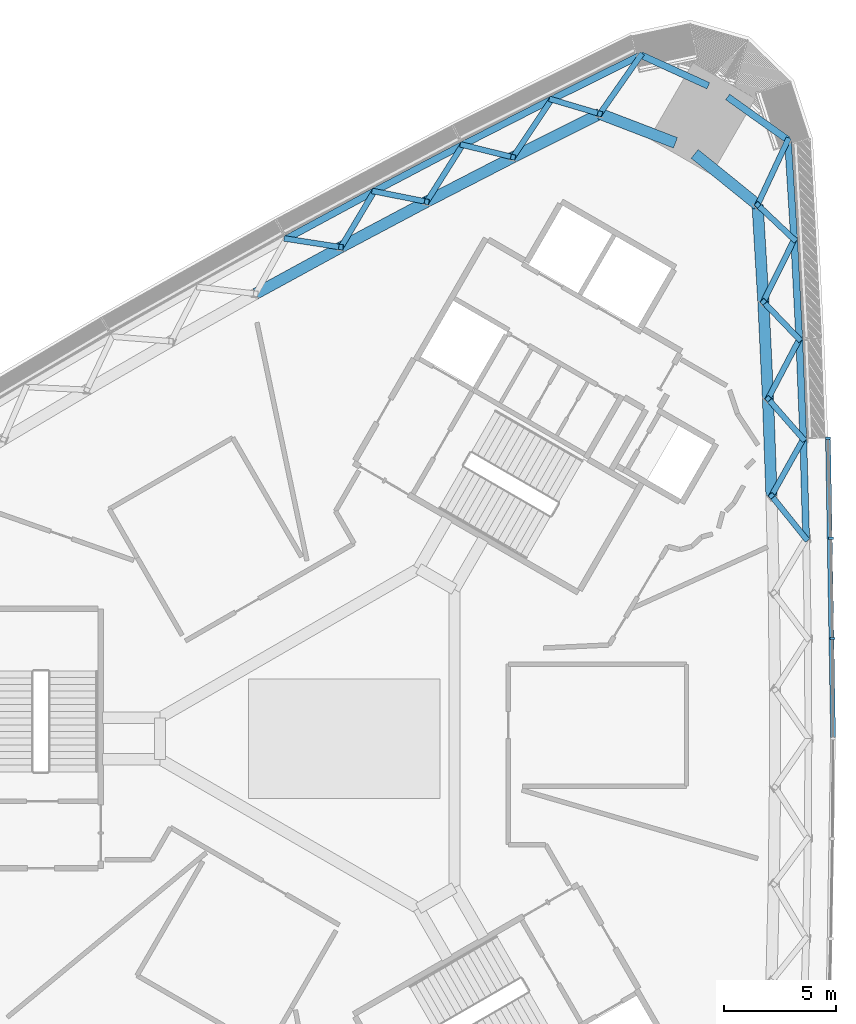
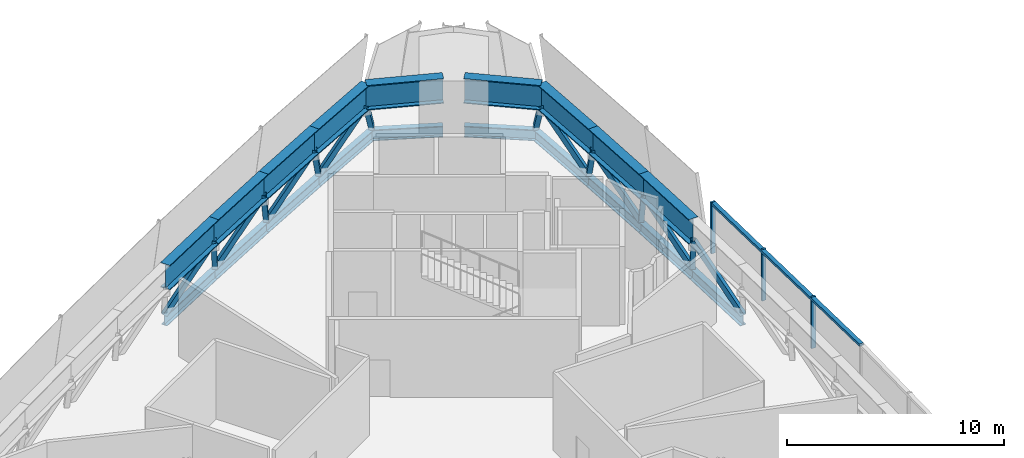
# One storey, part 4 of 17: 20 members, 19 beams, 1 element without a shape of its own.
"""IFC4 building model written with IfcOpenShell, lengths in metres."""

from ifc_helpers import new_model, si_unit, direction, frame, origin, origin_2d, place, context, subcontext, project, spatial, rectangle, hollow_rectangle, i_section, extrude, material, material_profile, profile_set, type_object, element, aggregate, save


model = new_model("IFC4")

# Units and contexts
model_context = context("Model", 3, precision=1e-05, world=origin(), true_north=direction((0.0, 1.0)))
body_context = subcontext(model_context, "Body", "Model", "MODEL_VIEW")
ifc_project = project(units=[si_unit("LENGTHUNIT", "METRE"), si_unit("AREAUNIT", "SQUARE_METRE"), si_unit("VOLUMEUNIT", "CUBIC_METRE"), si_unit("PLANEANGLEUNIT", "RADIAN"), si_unit("MASSUNIT", "GRAM", prefix="KILO")], contexts=[model_context])

# Site, building, storey
site_placement = place(None, origin())
site = spatial("IfcSite", under=ifc_project, at=site_placement, CompositionType="ELEMENT")
building_placement = place(site_placement, origin())
building = spatial("IfcBuilding", under=site, at=building_placement, Name="Tamra Quay Hotel Tower", CompositionType="ELEMENT")
storey_placement = place(building_placement, frame((0.0, 0.0, 119.0)))
storey = spatial("IfcBuildingStorey", under=building, at=storey_placement, Name="L29", CompositionType="ELEMENT", Elevation=119.0)

# Members
ifc_material_1 = material(Name="Structural steel IS 2062 E350", Category="steel")
ifc_material_profile_1 = material_profile(ifc_material_1, hollow_rectangle(XDim=0.25, YDim=0.25, WallThickness=0.010009765625, at=origin_2d()), Name="SHS 250x250x10")
ifc_profile_set_1 = profile_set([ifc_material_profile_1], Name="Structural steel IS 2062 E350")
member_type_1 = type_object("IfcMemberType", Name="BELT BRACE SHS 250x250x10 Z2", PredefinedType="BRACE", material=ifc_profile_set_1)
member_1_placement = place(storey_placement, frame((20.557373046875, 8.888916015625, -0.39990234375), z_axis=(-0.356971871151, 0.443642425233, 0.822041654504), x_axis=(-0.779102755568, -0.626896240431, 0.0)))
element("IfcMember", 1, at=member_1_placement, inside=storey, type_object=member_type_1, Name="BR-L29-016", PredefinedType="BRACE", context=body_context, shape_type="SweptSolid", body=[
    extrude(hollow_rectangle(XDim=0.25, YDim=0.25, WallThickness=0.010009765625, at=origin_2d()), origin(), (0.0, 0.0, 1.0), 4.318359375),
])
member_2_placement = place(storey_placement, frame((20.430419921875, 13.331787109375, -0.39990234375), z_axis=(-0.308766315016, -0.551612034299, 0.774846776032), x_axis=(0.872598002374, -0.488439071177, 0.0)))
element("IfcMember", 2, at=member_2_placement, inside=storey, type_object=member_type_1, Name="BR-L29-017", PredefinedType="BRACE", context=body_context, shape_type="SweptSolid", body=[
    extrude(hollow_rectangle(XDim=0.25, YDim=0.25, WallThickness=0.010009765625, at=origin_2d()), origin(), (0.0, 0.0, 1.0), 4.581298828125),
])
member_3_placement = place(storey_placement, frame((20.430419921875, 13.331787109375, -0.39990234375), z_axis=(-0.367132582374, 0.419270091739, 0.830316961848), x_axis=(-0.752335431429, -0.658780235448, 0.0)))
element("IfcMember", 3, at=member_3_placement, inside=storey, type_object=member_type_1, Name="BR-L29-018", PredefinedType="BRACE", context=body_context, shape_type="SweptSolid", body=[
    extrude(hollow_rectangle(XDim=0.25, YDim=0.25, WallThickness=0.010009765625, at=origin_2d()), origin(), (0.0, 0.0, 1.0), 4.275146484375),
])
member_4_placement = place(storey_placement, frame((20.2529296875, 17.773193359375, -0.39990234375), z_axis=(-0.299836733014, -0.570541661381, 0.764578410736), x_axis=(0.885204754983, -0.465201614093, 0.0)))
element("IfcMember", 4, at=member_4_placement, inside=storey, type_object=member_type_1, Name="BR-L29-019", PredefinedType="BRACE", context=body_context, shape_type="SweptSolid", body=[
    extrude(hollow_rectangle(XDim=0.25, YDim=0.25, WallThickness=0.010009765625, at=origin_2d()), origin(), (0.0, 0.0, 1.0), 4.642822265625),
])
member_5_placement = place(storey_placement, frame((20.2529296875, 17.773193359375, -0.39990234375), z_axis=(-0.377350659987, 0.394065444071, 0.838044691646), x_axis=(-0.722258606702, -0.691623094644, 0.0)))
element("IfcMember", 5, at=member_5_placement, inside=storey, type_object=member_type_1, Name="BR-L29-020", PredefinedType="BRACE", context=body_context, shape_type="SweptSolid", body=[
    extrude(hollow_rectangle(XDim=0.25, YDim=0.25, WallThickness=0.010009765625, at=origin_2d()), origin(), (0.0, 0.0, 1.0), 4.23583984375),
])
member_6_placement = place(storey_placement, frame((20.02490234375, 22.212158203125, -0.39990234375), z_axis=(-0.291166741739, -0.588506446648, 0.754242726686), x_axis=(0.896299578858, -0.443449055631, 0.0)))
element("IfcMember", 6, at=member_6_placement, inside=storey, type_object=member_type_1, Name="BR-L29-021", PredefinedType="BRACE", context=body_context, shape_type="SweptSolid", body=[
    extrude(hollow_rectangle(XDim=0.25, YDim=0.25, WallThickness=0.010009765625, at=origin_2d()), origin(), (0.0, 0.0, 1.0), 4.70654296875),
])
member_7_placement = place(storey_placement, frame((20.02490234375, 22.212158203125, -0.39990234375), z_axis=(-0.387673105904, 0.367850564427, 0.845219217251), x_axis=(-0.68831767692, -0.725409384858, 0.0)))
element("IfcMember", 7, at=member_7_placement, inside=storey, type_object=member_type_1, Name="BR-L29-022", PredefinedType="BRACE", context=body_context, shape_type="SweptSolid", body=[
    extrude(hollow_rectangle(XDim=0.25, YDim=0.25, WallThickness=0.010009765625, at=origin_2d()), origin(), (0.0, 0.0, 1.0), 4.199951171875),
])
for number, where, z_axis, x_axis, name in (
    (8, (19.746337890625, 26.648681640625, -0.39990234375), (-0.282744312896, -0.605792988773, 0.743687103746), (0.906159683622, -0.422935725351, 0.0), "BR-L29-023"),
    (9, (13.205078125, 30.425048828125, -0.39990234375), (-0.383211555214, -0.547759282539, 0.743712761987), (0.81938645894, -0.573241511848, 0.0), "BR-L29-024"),
):
    element("IfcMember", number, at=place(storey_placement, frame(where, z_axis=z_axis, x_axis=x_axis)), inside=storey, type_object=member_type_1, Name=name, PredefinedType="BRACE", context=body_context, shape_type="SweptSolid", body=[
        extrude(hollow_rectangle(XDim=0.25, YDim=0.25, WallThickness=0.010009765625, at=origin_2d()), origin(), (0.0, 0.0, 1.0), 4.773193359375),
    ])
member_8_placement = place(storey_placement, frame((9.223876953125, 28.4482421875, -0.39990234375), z_axis=(0.512414816212, -0.151835224044, 0.845208329861), x_axis=(0.284103143013, 0.958793723452, 0.0)))
element("IfcMember", 10, at=member_8_placement, inside=storey, type_object=member_type_1, Name="BR-L29-025", PredefinedType="BRACE", context=body_context, shape_type="SweptSolid", body=[
    extrude(hollow_rectangle(XDim=0.25, YDim=0.25, WallThickness=0.010009765625, at=origin_2d()), origin(), (0.0, 0.0, 1.0), 4.199951171875),
])
member_9_placement = place(storey_placement, frame((9.223876953125, 28.4482421875, -0.39990234375), z_axis=(-0.364092887779, -0.546424630269, 0.754225756988), x_axis=(0.832183962152, -0.554499642144, 0.0)))
element("IfcMember", 11, at=member_9_placement, inside=storey, type_object=member_type_1, Name="BR-L29-026", PredefinedType="BRACE", context=body_context, shape_type="SweptSolid", body=[
    extrude(hollow_rectangle(XDim=0.25, YDim=0.25, WallThickness=0.010009765625, at=origin_2d()), origin(), (0.0, 0.0, 1.0), 4.70654296875),
])
member_10_placement = place(storey_placement, frame((5.265625, 26.42626953125, -0.39990234375), z_axis=(0.529922135525, -0.129800375158, 0.83805393197), x_axis=(0.237909409225, 0.971287348318, 0.0)))
element("IfcMember", 12, at=member_10_placement, inside=storey, type_object=member_type_1, Name="BR-L29-027", PredefinedType="BRACE", context=body_context, shape_type="SweptSolid", body=[
    extrude(hollow_rectangle(XDim=0.25, YDim=0.25, WallThickness=0.010009765625, at=origin_2d()), origin(), (0.0, 0.0, 1.0), 4.23583984375),
])
member_11_placement = place(storey_placement, frame((5.265625, 26.42626953125, -0.39990234375), z_axis=(-0.344214906408, -0.544928059136, 0.764571454197), x_axis=(0.845454005932, -0.53404824113, 0.0)))
element("IfcMember", 13, at=member_11_placement, inside=storey, type_object=member_type_1, Name="BR-L29-028", PredefinedType="BRACE", context=body_context, shape_type="SweptSolid", body=[
    extrude(hollow_rectangle(XDim=0.25, YDim=0.25, WallThickness=0.010009765625, at=origin_2d()), origin(), (0.0, 0.0, 1.0), 4.642822265625),
])
member_12_placement = place(storey_placement, frame((1.33056640625, 24.359375, -0.39990234375), z_axis=(0.546629374162, -0.108332210905, 0.830337557493), x_axis=(0.194401294917, 0.980922084844, 0.0)))
element("IfcMember", 14, at=member_12_placement, inside=storey, type_object=member_type_1, Name="BR-L29-029", PredefinedType="BRACE", context=body_context, shape_type="SweptSolid", body=[
    extrude(hollow_rectangle(XDim=0.25, YDim=0.25, WallThickness=0.010009765625, at=origin_2d()), origin(), (0.0, 0.0, 1.0), 4.275146484375),
])
member_13_placement = place(storey_placement, frame((1.33056640625, 24.359375, -0.39990234375), z_axis=(-0.32330894311, -0.543235761671, 0.774833036561), x_axis=(0.859324639719, -0.51143050708, 0.0)))
element("IfcMember", 15, at=member_13_placement, inside=storey, type_object=member_type_1, Name="BR-L29-030", PredefinedType="BRACE", context=body_context, shape_type="SweptSolid", body=[
    extrude(hollow_rectangle(XDim=0.25, YDim=0.25, WallThickness=0.010009765625, at=origin_2d()), origin(), (0.0, 0.0, 1.0), 4.581298828125),
])
member_14_placement = place(storey_placement, frame((-2.580810546875, 22.247802734375, -0.39990234375), z_axis=(0.562740562902, -0.087345204911, 0.822006006087), x_axis=(0.153377442509, 0.988167678144, 0.0)))
element("IfcMember", 16, at=member_14_placement, inside=storey, type_object=member_type_1, Name="BR-L29-031", PredefinedType="BRACE", context=body_context, shape_type="SweptSolid", body=[
    extrude(hollow_rectangle(XDim=0.25, YDim=0.25, WallThickness=0.010009765625, at=origin_2d()), origin(), (0.0, 0.0, 1.0), 4.318359375),
])

# Beams
ifc_material_profile_2 = material_profile(ifc_material_1, i_section(OverallWidth=0.304931640625, OverallDepth=0.6201171875, WebThickness=0.02099609375, FlangeThickness=0.0400390625, at=origin_2d()), Name="WPB 600x300x285")
ifc_profile_set_2 = profile_set([ifc_material_profile_2], Name="Structural steel IS 2062 E350")
beam_type_1 = type_object("IfcBeamType", Name="BELT CHORD WPB 600x300x285 Z2", PredefinedType="BEAM", material=ifc_profile_set_2)
beam_1_placement = place(storey_placement, frame((20.557373046875, 8.888916015625, -0.7099609375), z_axis=(-0.02856291012, 0.999591996849, 0.0), x_axis=(-0.999591996849, -0.02856291012, 0.0)))
element("IfcBeam", 17, at=beam_1_placement, inside=storey, type_object=beam_type_1, Name="BM-CHB-L29-008", PredefinedType="BEAM", context=body_context, shape_type="SweptSolid", body=[
    extrude(i_section(OverallWidth=0.304931640625, OverallDepth=0.6201171875, WebThickness=0.02099609375, FlangeThickness=0.0400390625, at=origin_2d()), origin(), (0.0, 0.0, 1.0), 4.444580078125),
])
beam_2_placement = place(storey_placement, frame((20.430419921875, 13.331787109375, -0.7099609375), z_axis=(-0.039930748728, 0.99920244961, 0.0), x_axis=(-0.99920244961, -0.039930748728, 0.0)))
element("IfcBeam", 18, at=beam_2_placement, inside=storey, type_object=beam_type_1, Name="BM-CHB-L29-009", PredefinedType="BEAM", context=body_context, shape_type="SweptSolid", body=[
    extrude(i_section(OverallWidth=0.304931640625, OverallDepth=0.6201171875, WebThickness=0.02099609375, FlangeThickness=0.0400390625, at=origin_2d()), origin(), (0.0, 0.0, 1.0), 4.445068359375),
])
beam_3_placement = place(storey_placement, frame((20.2529296875, 17.773193359375, -0.7099609375), z_axis=(-0.051301842631, 0.998683193482, 0.0), x_axis=(-0.998683193482, -0.051301842631, 0.0)))
element("IfcBeam", 19, at=beam_3_placement, inside=storey, type_object=beam_type_1, Name="BM-CHB-L29-010", PredefinedType="BEAM", context=body_context, shape_type="SweptSolid", body=[
    extrude(i_section(OverallWidth=0.304931640625, OverallDepth=0.6201171875, WebThickness=0.02099609375, FlangeThickness=0.0400390625, at=origin_2d()), origin(), (0.0, 0.0, 1.0), 4.44482421875),
])
beam_4_placement = place(storey_placement, frame((20.02490234375, 22.212158203125, -0.7099609375), z_axis=(-0.062665499823, 0.99803458614, 0.0), x_axis=(-0.99803458614, -0.062665499823, 0.0)))
element("IfcBeam", 20, at=beam_4_placement, inside=storey, type_object=beam_type_1, Name="BM-CHB-L29-011", PredefinedType="BEAM", context=body_context, shape_type="SweptSolid", body=[
    extrude(i_section(OverallWidth=0.304931640625, OverallDepth=0.6201171875, WebThickness=0.02099609375, FlangeThickness=0.0400390625, at=origin_2d()), origin(), (0.0, 0.0, 1.0), 4.4453125),
])
beam_5_placement = place(storey_placement, frame((19.746337890625, 26.648681640625, -0.7099609375), z_axis=(-0.814348949885, 0.580375557567, 0.0), x_axis=(-0.580375557567, -0.814348949885, 0.0)))
element("IfcBeam", 21, at=beam_5_placement, inside=storey, type_object=beam_type_1, Name="BM-CHB-L29-012", PredefinedType="BEAM", context=body_context, shape_type="SweptSolid", body=[
    extrude(i_section(OverallWidth=0.304931640625, OverallDepth=0.6201171875, WebThickness=0.02099609375, FlangeThickness=0.0400390625, at=origin_2d()), origin(), (0.0, 0.0, 1.0), 3.294189453125),
])
beam_6_placement = place(storey_placement, frame((16.202392578125, 29.057861328125, -0.7099609375), z_axis=(-0.909820030099, 0.415003027495, 0.0), x_axis=(-0.415003027495, -0.909820030099, 0.0)))
element("IfcBeam", 22, at=beam_6_placement, inside=storey, type_object=beam_type_1, Name="BM-CHB-L29-013", PredefinedType="BEAM", context=body_context, shape_type="SweptSolid", body=[
    extrude(i_section(OverallWidth=0.304931640625, OverallDepth=0.6201171875, WebThickness=0.02099609375, FlangeThickness=0.0400390625, at=origin_2d()), origin(), (0.0, 0.0, 1.0), 3.29443359375),
])
beam_7_placement = place(storey_placement, frame((13.205078125, 30.425048828125, -0.7099609375), z_axis=(-0.895665054819, -0.444729254239, 0.0), x_axis=(0.444729254239, -0.895665054819, 0.0)))
element("IfcBeam", 23, at=beam_7_placement, inside=storey, type_object=beam_type_1, Name="BM-CHB-L29-014", PredefinedType="BEAM", context=body_context, shape_type="SweptSolid", body=[
    extrude(i_section(OverallWidth=0.304931640625, OverallDepth=0.6201171875, WebThickness=0.02099609375, FlangeThickness=0.0400390625, at=origin_2d()), origin(), (0.0, 0.0, 1.0), 4.445068359375),
])
for number, where, z_axis, x_axis, name in (
    (24, (9.223876953125, 28.4482421875, -0.7099609375), (-0.890538040602, -0.454908780131, 0.0), (0.454908780131, -0.890538040602, 0.0), "BM-CHB-L29-015"),
    (25, (5.265625, 26.42626953125, -0.7099609375), (-0.885306332423, -0.4650082771, 0.0), (0.4650082771, -0.885306332423, 0.0), "BM-CHB-L29-016"),
):
    element("IfcBeam", number, at=place(storey_placement, frame(where, z_axis=z_axis, x_axis=x_axis)), inside=storey, type_object=beam_type_1, Name=name, PredefinedType="BEAM", context=body_context, shape_type="SweptSolid", body=[
        extrude(i_section(OverallWidth=0.304931640625, OverallDepth=0.6201171875, WebThickness=0.02099609375, FlangeThickness=0.0400390625, at=origin_2d()), origin(), (0.0, 0.0, 1.0), 4.44482421875),
    ])
beam_8_placement = place(storey_placement, frame((1.33056640625, 24.359375, -0.7099609375), z_axis=(-0.879959126685, -0.475049403077, 0.0), x_axis=(0.475049403077, -0.879959126685, 0.0)))
element("IfcBeam", 26, at=beam_8_placement, inside=storey, type_object=beam_type_1, Name="BM-CHB-L29-017", PredefinedType="BEAM", context=body_context, shape_type="SweptSolid", body=[
    extrude(i_section(OverallWidth=0.304931640625, OverallDepth=0.6201171875, WebThickness=0.02099609375, FlangeThickness=0.0400390625, at=origin_2d()), origin(), (0.0, 0.0, 1.0), 4.445068359375),
])
ifc_material_profile_3 = material_profile(ifc_material_1, i_section(OverallWidth=0.5, OverallDepth=1.39990234375, WebThickness=0.02490234375, FlangeThickness=0.050048828125, at=origin_2d()), Name="WPG 1400x500x25x50")
ifc_profile_set_3 = profile_set([ifc_material_profile_3], Name="Structural steel IS 2062 E350")
beam_type_2 = type_object("IfcBeamType", Name="BELT TOP CHORD WPG 1400x500x25x50 Z2", PredefinedType="USERDEFINED", material=ifc_profile_set_3)
beam_9_placement = place(storey_placement, frame((19.015869140625, 10.8046875, 3.699951171875), z_axis=(-0.035866807647, 0.999356579059, 0.0), x_axis=(-0.999356579059, -0.035866807647, 0.0)))
element("IfcBeam", 27, at=beam_9_placement, inside=storey, type_object=beam_type_2, Name="BM-CHT-L29-008", ObjectType="TRANSFER GIRDER", PredefinedType="USERDEFINED", context=body_context, shape_type="SweptSolid", body=[
    extrude(i_section(OverallWidth=0.5, OverallDepth=1.39990234375, WebThickness=0.02490234375, FlangeThickness=0.050048828125, at=origin_2d()), origin(), (0.0, 0.0, 1.0), 4.322265625),
])
beam_10_placement = place(storey_placement, frame((18.86083984375, 15.124267578125, 3.699951171875), z_axis=(-0.047720772552, 0.998860714948, 0.0), x_axis=(-0.998860714948, -0.047720772552, 0.0)))
element("IfcBeam", 28, at=beam_10_placement, inside=storey, type_object=beam_type_2, Name="BM-CHT-L29-009", ObjectType="TRANSFER GIRDER", PredefinedType="USERDEFINED", context=body_context, shape_type="SweptSolid", body=[
    extrude(i_section(OverallWidth=0.5, OverallDepth=1.39990234375, WebThickness=0.02490234375, FlangeThickness=0.050048828125, at=origin_2d()), origin(), (0.0, 0.0, 1.0), 4.322998046875),
])
beam_11_placement = place(storey_placement, frame((18.654541015625, 19.4423828125, 3.699951171875), z_axis=(-0.059645781891, 0.998219605449, 0.0), x_axis=(-0.998219605449, -0.059645781891, 0.0)))
element("IfcBeam", 29, at=beam_11_placement, inside=storey, type_object=beam_type_2, Name="BM-CHT-L29-010", ObjectType="TRANSFER GIRDER", PredefinedType="USERDEFINED", context=body_context, shape_type="SweptSolid", body=[
    extrude(i_section(OverallWidth=0.5, OverallDepth=1.39990234375, WebThickness=0.02490234375, FlangeThickness=0.050048828125, at=origin_2d()), origin(), (0.0, 0.0, 1.0), 4.322509765625),
])
beam_12_placement = place(storey_placement, frame((18.396728515625, 23.757080078125, 3.699951171875), z_axis=(-0.777200697482, 0.629252791677, 0.0), x_axis=(-0.629252791677, -0.777200697482, 0.0)))
element("IfcBeam", 30, at=beam_12_placement, inside=storey, type_object=beam_type_2, Name="BM-CHT-L29-011", ObjectType="TRANSFER GIRDER", PredefinedType="USERDEFINED", context=body_context, shape_type="SweptSolid", body=[
    extrude(i_section(OverallWidth=0.5, OverallDepth=1.39990234375, WebThickness=0.02490234375, FlangeThickness=0.050048828125, at=origin_2d()), origin(), (0.0, 0.0, 1.0), 3.60400390625),
])
beam_13_placement = place(storey_placement, frame((14.74072265625, 26.5185546875, 3.699951171875), z_axis=(-0.933544482386, 0.358461573123, 0.0), x_axis=(-0.358461573123, -0.933544482386, 0.0)))
element("IfcBeam", 31, at=beam_13_placement, inside=storey, type_object=beam_type_2, Name="BM-CHT-L29-012", ObjectType="TRANSFER GIRDER", PredefinedType="USERDEFINED", context=body_context, shape_type="SweptSolid", body=[
    extrude(i_section(OverallWidth=0.5, OverallDepth=1.39990234375, WebThickness=0.02490234375, FlangeThickness=0.050048828125, at=origin_2d()), origin(), (0.0, 0.0, 1.0), 3.604248046875),
])
beam_14_placement = place(storey_placement, frame((11.3759765625, 27.810546875, 3.699951171875), z_axis=(-0.894314201219, -0.44743950373, 0.0), x_axis=(0.44743950373, -0.894314201219, 0.0)))
element("IfcBeam", 32, at=beam_14_placement, inside=storey, type_object=beam_type_2, Name="BM-CHT-L29-013", ObjectType="TRANSFER GIRDER", PredefinedType="USERDEFINED", context=body_context, shape_type="SweptSolid", body=[
    extrude(i_section(OverallWidth=0.5, OverallDepth=1.39990234375, WebThickness=0.02490234375, FlangeThickness=0.050048828125, at=origin_2d()), origin(), (0.0, 0.0, 1.0), 4.322509765625),
])
beam_15_placement = place(storey_placement, frame((7.51025390625, 25.87646484375, 3.699951171875), z_axis=(-0.888916721876, -0.458068839335, 0.0), x_axis=(0.458068839335, -0.888916721876, 0.0)))
element("IfcBeam", 33, at=beam_15_placement, inside=storey, type_object=beam_type_2, Name="BM-CHT-L29-014", ObjectType="TRANSFER GIRDER", PredefinedType="USERDEFINED", context=body_context, shape_type="SweptSolid", body=[
    extrude(i_section(OverallWidth=0.5, OverallDepth=1.39990234375, WebThickness=0.02490234375, FlangeThickness=0.050048828125, at=origin_2d()), origin(), (0.0, 0.0, 1.0), 4.322998046875),
])
beam_16_placement = place(storey_placement, frame((3.66748046875, 23.896240234375, 3.699951171875), z_axis=(-0.88337813376, -0.468660935853, 0.0), x_axis=(0.468660935853, -0.88337813376, 0.0)))
element("IfcBeam", 34, at=beam_16_placement, inside=storey, type_object=beam_type_2, Name="BM-CHT-L29-015", ObjectType="TRANSFER GIRDER", PredefinedType="USERDEFINED", context=body_context, shape_type="SweptSolid", body=[
    extrude(i_section(OverallWidth=0.5, OverallDepth=1.39990234375, WebThickness=0.02490234375, FlangeThickness=0.050048828125, at=origin_2d()), origin(), (0.0, 0.0, 1.0), 4.322265625),
])
beam_17_placement = place(storey_placement, frame((-0.150634765625, 21.87060546875, 3.699951171875), z_axis=(-0.877737950018, -0.479140992922, 0.0), x_axis=(0.479140992922, -0.877737950018, 0.0)))
element("IfcBeam", 35, at=beam_17_placement, inside=storey, type_object=beam_type_2, Name="BM-CHT-L29-016", ObjectType="TRANSFER GIRDER", PredefinedType="USERDEFINED", context=body_context, shape_type="SweptSolid", body=[
    extrude(i_section(OverallWidth=0.5, OverallDepth=1.39990234375, WebThickness=0.02490234375, FlangeThickness=0.050048828125, at=origin_2d()), origin(), (0.0, 0.0, 1.0), 4.322509765625),
])

# Curtain wall, members
ifc_material_2 = material(Name="Aluminium 6063 anodised dark grey", Category="aluminium")
curtain_wall_type = type_object("IfcCurtainWallType", Name="CW1 CURTAIN WALL", PredefinedType="NOTDEFINED", material=ifc_material_2)
curtain_wall_placement = place(storey_placement, origin())
curtain_wall = element("IfcCurtainWall", 36, at=curtain_wall_placement, inside=storey, type_object=curtain_wall_type, Name="CW1 east face L29", PredefinedType="NOTDEFINED")
ifc_material_profile_4 = material_profile(ifc_material_2, rectangle(XDim=0.219970703125, YDim=0.10009765625, at=origin_2d()), Name="MULLION 100X220")
ifc_profile_set_4 = profile_set([ifc_material_profile_4], Name="Aluminium 6063 anodised dark grey")
member_type_2 = type_object("IfcMemberType", Name="MULLION CW1 Z2", PredefinedType="MULLION", material=ifc_profile_set_4)
member_15_placement = place(storey_placement, frame((21.7333984375, 4.457275390625, 0.0), z_axis=(0.0, 0.0, 1.0), x_axis=(0.999934750231, 0.011423453115, 0.0)))
member_15 = element("IfcMember", 37, at=member_15_placement, type_object=member_type_2, Name="CW1 mullion L29.E.5", PredefinedType="MULLION", context=body_context, shape_type="SweptSolid", body=[
    extrude(rectangle(XDim=0.219970703125, YDim=0.10009765625, at=origin_2d()), origin(), (0.0, 0.0, 1.0), 2.89990234375),
])
member_16_placement = place(storey_placement, frame((21.6572265625, 8.9140625, 0.0), z_axis=(0.0, 0.0, 1.0), x_axis=(0.999739124159, 0.0228403946, 0.0)))
member_16 = element("IfcMember", 38, at=member_16_placement, type_object=member_type_2, Name="CW1 mullion L29.E.6", PredefinedType="MULLION", context=body_context, shape_type="SweptSolid", body=[
    extrude(rectangle(XDim=0.219970703125, YDim=0.10009765625, at=origin_2d()), origin(), (0.0, 0.0, 1.0), 2.89990234375),
])
member_17_placement = place(storey_placement, frame((21.52978515625, 13.36962890625, 0.0), z_axis=(0.0, 0.0, 1.0), x_axis=(0.999413451624, 0.034245477264, 0.0)))
member_17 = element("IfcMember", 39, at=member_17_placement, type_object=member_type_2, Name="CW1 mullion L29.E.7", PredefinedType="MULLION", context=body_context, shape_type="SweptSolid", body=[
    extrude(rectangle(XDim=0.219970703125, YDim=0.10009765625, at=origin_2d()), origin(), (0.0, 0.0, 1.0), 2.89990234375),
])
ifc_material_profile_5 = material_profile(ifc_material_2, rectangle(XDim=0.219970703125, YDim=0.139892578125, at=origin_2d()), Name="TRANSOM 220X140")
ifc_profile_set_5 = profile_set([ifc_material_profile_5], Name="Aluminium 6063 anodised dark grey")
member_type_3 = type_object("IfcMemberType", Name="TRANSOM CW1 Z2", PredefinedType="USERDEFINED", material=ifc_profile_set_5)
member_18_placement = place(storey_placement, frame((21.7587890625, 0.050048828125, 2.830078125), z_axis=(-0.017144962639, 0.999853014326, 0.0), x_axis=(-0.999853014326, -0.017144962639, 0.0)))
member_18 = element("IfcMember", 40, at=member_18_placement, type_object=member_type_3, Name="CW1 transom L29.E.4", ObjectType="TRANSOM", PredefinedType="USERDEFINED", context=body_context, shape_type="SweptSolid", body=[
    extrude(rectangle(XDim=0.219970703125, YDim=0.139892578125, at=origin_2d()), origin(), (0.0, 0.0, 1.0), 13.271484375),
])
aggregate(curtain_wall, [member_18, member_15, member_16, member_17])

save(model, "model.ifc")
